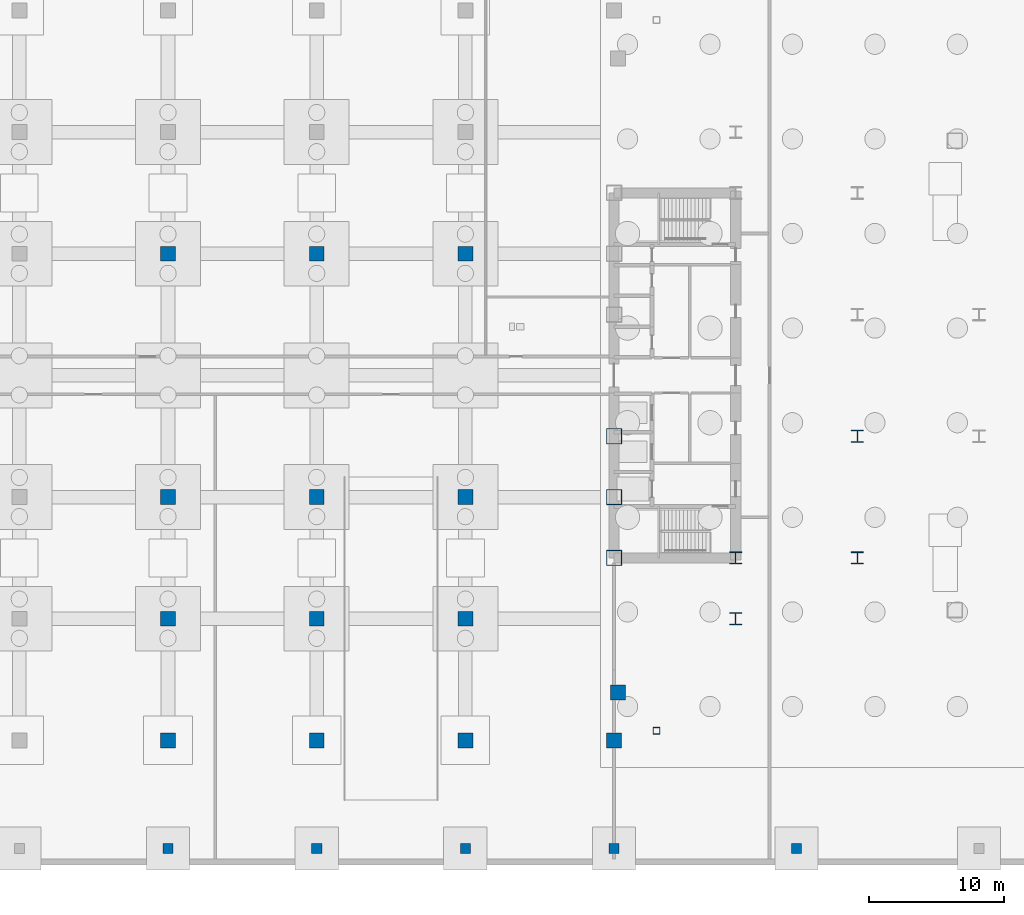
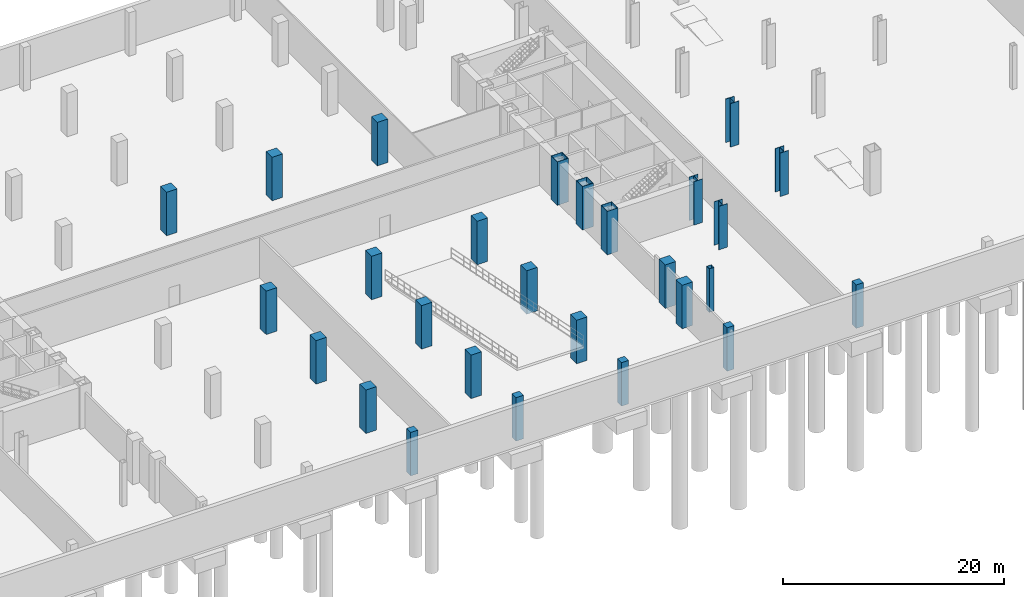
# One storey, part 5 of 18: 27 columns.
"""IFC4 building model written with IfcOpenShell, lengths in metres."""

from ifc_helpers import new_model, si_unit, direction, frame, origin, origin_2d, place, context, subcontext, project, spatial, rectangle, hollow_rectangle, i_section, extrude, source, transform, mapped, material, material_profile, profile_set, type_object, type_shapes, element, save


model = new_model("IFC4")

# Units and contexts
model_context = context("Model", 3, precision=1e-05, world=origin(), true_north=direction((0.0, 1.0)))
body_context = subcontext(model_context, "Body", "Model", "MODEL_VIEW")
ifc_project = project(units=[si_unit("LENGTHUNIT", "METRE"), si_unit("AREAUNIT", "SQUARE_METRE"), si_unit("VOLUMEUNIT", "CUBIC_METRE"), si_unit("PLANEANGLEUNIT", "RADIAN"), si_unit("MASSUNIT", "GRAM", prefix="KILO")], contexts=[model_context])

# Site, building, storey
site_placement = place(None, origin())
site = spatial("IfcSite", under=ifc_project, at=site_placement, CompositionType="ELEMENT")
building_placement = place(site_placement, origin())
building = spatial("IfcBuilding", under=site, at=building_placement, Name="Seokmaru Belvedere", CompositionType="ELEMENT")
storey_placement = place(building_placement, frame((0.0, 0.0, -9.60009765625)))
storey = spatial("IfcBuildingStorey", under=building, at=storey_placement, Name="B2", CompositionType="ELEMENT", Elevation=-9.60009765625)

# Columns
ifc_material_1 = material(Name="Steel HSA650 (650 MPa)", Category="steel")
ifc_material_profile_1 = material_profile(ifc_material_1, hollow_rectangle(XDim=1.14990234375, YDim=1.14990234375, WallThickness=0.048095703125, at=origin_2d()), Name="BOX-1150x1150x48")
ifc_profile_set_1 = profile_set([ifc_material_profile_1], Name="Steel HSA650 (650 MPa)")
column_type_1 = type_object("IfcColumnType", Name="Portal Spine Column BOX-1150", PredefinedType="COLUMN", material=ifc_profile_set_1)
shared_shape_1 = source(origin(), body_context, "Body", "SweptSolid", [
    extrude(hollow_rectangle(XDim=1.14990234375, YDim=1.14990234375, WallThickness=0.048095703125, at=origin_2d()), origin(), (0.0, 0.0, 1.0), 4.800048828125),
])
type_shapes(column_type_1, [shared_shape_1])
for number, where, z_axis, x_axis, name in (
    (1, (27.5, -13.5, 0.0), (0.0, 0.0, 1.0), (1.0, 0.0, 0.0), "B2 Column ES1"),
    (2, (27.5, -9.0, 0.0), (0.0, 0.0, 1.0), (1.0, 0.0, 0.0), "B2 Column ES2"),
    (3, (27.5, -4.5, 0.0), (0.0, 0.0, 1.0), (1.0, 0.0, 0.0), "B2 Column ES3"),
):
    element("IfcColumn", number, at=place(storey_placement, frame(where, z_axis=z_axis, x_axis=x_axis)), inside=storey, type_object=column_type_1, Name=name, PredefinedType="COLUMN", context=body_context, shape_type="MappedRepresentation", body=[
        mapped(shared_shape_1, transform((0.0, 0.0, 0.0), scale=1.0)),
    ])
ifc_material_2 = material(Name="Concrete C60 (60 MPa)", Category="concrete")
ifc_material_profile_2 = material_profile(ifc_material_2, rectangle(XDim=1.10009765625, YDim=1.10009765625, at=origin_2d()), Name="RC-1100x1100")
ifc_profile_set_2 = profile_set([ifc_material_profile_2], Name="Concrete C60 (60 MPa)")
column_type_2 = type_object("IfcColumnType", Name="Basement Substructure Column RC-1100", PredefinedType="COLUMN", material=ifc_profile_set_2)
shared_shape_2 = source(origin(), body_context, "Body", "SweptSolid", [
    extrude(rectangle(XDim=1.10009765625, YDim=1.10009765625, at=origin_2d()), origin(), (0.0, 0.0, 1.0), 4.800048828125),
])
type_shapes(column_type_2, [shared_shape_2])
for number, where, z_axis, x_axis, name in (
    (4, (27.5, -27.0, 0.0), (0.0, 0.0, 1.0), (1.0, 0.0, 0.0), "B2 Column EPS1"),
    (5, (27.800048828125, -23.451416015625, 0.0), (0.0, 0.0, 1.0), (1.0, 0.0, 0.0), "B2 Column EPM_S"),
    (6, (-5.5, -27.0, 0.0), (0.0, 0.0, 1.0), (1.0, 0.0, 0.0), "B2 Column CP2_1"),
    (7, (-5.5, -18.0, 0.0), (0.0, 0.0, 1.0), (1.0, 0.0, 0.0), "B2 Column CP2_2"),
    (8, (-5.5, -9.0, 0.0), (0.0, 0.0, 1.0), (1.0, 0.0, 0.0), "B2 Column CP2_3"),
    (9, (-5.5, 9.0, 0.0), (0.0, 0.0, 1.0), (1.0, 0.0, 0.0), "B2 Column CP2_4"),
    (10, (5.5, -27.0, 0.0), (0.0, 0.0, 1.0), (1.0, 0.0, 0.0), "B2 Column CP3_1"),
    (11, (5.5, -18.0, 0.0), (0.0, 0.0, 1.0), (1.0, 0.0, 0.0), "B2 Column CP3_2"),
    (12, (5.5, -9.0, 0.0), (0.0, 0.0, 1.0), (1.0, 0.0, 0.0), "B2 Column CP3_3"),
    (13, (5.5, 9.0, 0.0), (0.0, 0.0, 1.0), (1.0, 0.0, 0.0), "B2 Column CP3_4"),
    (14, (16.5, -27.0, 0.0), (0.0, 0.0, 1.0), (1.0, 0.0, 0.0), "B2 Column CP4_1"),
    (15, (16.5, -18.0, 0.0), (0.0, 0.0, 1.0), (1.0, 0.0, 0.0), "B2 Column CP4_2"),
    (16, (16.5, -9.0, 0.0), (0.0, 0.0, 1.0), (1.0, 0.0, 0.0), "B2 Column CP4_3"),
    (17, (16.5, 9.0, 0.0), (0.0, 0.0, 1.0), (1.0, 0.0, 0.0), "B2 Column CP4_4"),
):
    element("IfcColumn", number, at=place(storey_placement, frame(where, z_axis=z_axis, x_axis=x_axis)), inside=storey, type_object=column_type_2, Name=name, PredefinedType="COLUMN", context=body_context, shape_type="MappedRepresentation", body=[
        mapped(shared_shape_2, transform((0.0, 0.0, 0.0), scale=1.0)),
    ])
ifc_material_profile_3 = material_profile(ifc_material_1, i_section(OverallWidth=0.89990234375, OverallDepth=0.89990234375, WebThickness=0.035888671875, FlangeThickness=0.054931640625, at=origin_2d()), Name="H-900x900x36x55")
ifc_profile_set_3 = profile_set([ifc_material_profile_3], Name="Steel HSA650 (650 MPa)")
column_type_3 = type_object("IfcColumnType", Name="Lower Interior Column H-900", PredefinedType="COLUMN", material=ifc_profile_set_3)
shared_shape_3 = source(origin(), body_context, "Body", "SweptSolid", [
    extrude(i_section(OverallWidth=0.89990234375, OverallDepth=0.89990234375, WebThickness=0.035888671875, FlangeThickness=0.054931640625, at=origin_2d()), origin(), (0.0, 0.0, 1.0), 4.800048828125),
])
type_shapes(column_type_3, [shared_shape_3])
for number, where, z_axis, x_axis, name in (
    (18, (36.5, -18.0, 0.0), (0.0, 0.0, 1.0), (1.0, 0.0, 0.0), "B2 Column EC1"),
    (19, (36.5, -13.5, 0.0), (0.0, 0.0, 1.0), (1.0, 0.0, 0.0), "B2 Column EC2"),
    (20, (45.5, -13.5, 0.0), (0.0, 0.0, 1.0), (1.0, 0.0, 0.0), "B2 Column EG5_1"),
    (21, (45.5, -4.5, 0.0), (0.0, 0.0, 1.0), (1.0, 0.0, 0.0), "B2 Column EG5_2"),
):
    element("IfcColumn", number, at=place(storey_placement, frame(where, z_axis=z_axis, x_axis=x_axis)), inside=storey, type_object=column_type_3, Name=name, PredefinedType="COLUMN", context=body_context, shape_type="MappedRepresentation", body=[
        mapped(shared_shape_3, transform((0.0, 0.0, 0.0), scale=1.0)),
    ])
ifc_material_3 = material(Name="Steel SM355 (355 MPa)", Category="steel")
ifc_material_profile_4 = material_profile(ifc_material_3, hollow_rectangle(XDim=0.5, YDim=0.5, WallThickness=0.02001953125, at=origin_2d()), Name="HSS-500x500x20")
ifc_profile_set_4 = profile_set([ifc_material_profile_4], Name="Steel SM355 (355 MPa)")
column_type_4 = type_object("IfcColumnType", Name="Perimeter Facet Column HSS-500", PredefinedType="COLUMN", material=ifc_profile_set_4)
shared_shape_4 = source(origin(), body_context, "Body", "SweptSolid", [
    extrude(hollow_rectangle(XDim=0.5, YDim=0.5, WallThickness=0.02001953125, at=origin_2d()), origin(), (0.0, 0.0, 1.0), 4.800048828125),
])
type_shapes(column_type_4, [shared_shape_4])
column_placement = place(storey_placement, frame((30.643310546875, -26.294677734375, 0.0), z_axis=(0.0, 0.0, 1.0), x_axis=(1.0, 0.0, 0.0)))
element("IfcColumn", 22, at=column_placement, inside=storey, type_object=column_type_4, Name="B2 Column EF1", PredefinedType="COLUMN", context=body_context, shape_type="MappedRepresentation", body=[
    mapped(shared_shape_4, transform((0.0, 0.0, 0.0), scale=1.0)),
])
ifc_material_4 = material(Name="Concrete C50 (50 MPa)", Category="concrete")
ifc_material_profile_5 = material_profile(ifc_material_4, rectangle(XDim=0.75, YDim=0.75, at=origin_2d()), Name="RC-750x750")
ifc_profile_set_5 = profile_set([ifc_material_profile_5], Name="Concrete C50 (50 MPa)")
column_type_5 = type_object("IfcColumnType", Name="Plaza Substructure Pier Column RC-750", PredefinedType="COLUMN", material=ifc_profile_set_5)
shared_shape_5 = source(origin(), body_context, "Body", "SweptSolid", [
    extrude(rectangle(XDim=0.75, YDim=0.75, at=origin_2d()), origin(), (0.0, 0.0, 1.0), 4.800048828125),
])
type_shapes(column_type_5, [shared_shape_5])
for number, where, z_axis, x_axis, name in (
    (23, (-5.5, -35.0, 0.0), (0.0, 0.0, 1.0), (1.0, 0.0, 0.0), "B2 Column PLZ_S6"),
    (24, (5.5, -35.0, 0.0), (0.0, 0.0, 1.0), (1.0, 0.0, 0.0), "B2 Column PLZ_S7"),
    (25, (16.5, -35.0, 0.0), (0.0, 0.0, 1.0), (1.0, 0.0, 0.0), "B2 Column PLZ_S8"),
    (26, (27.5, -35.0, 0.0), (0.0, 0.0, 1.0), (1.0, 0.0, 0.0), "B2 Column PLZ_S9"),
    (27, (41.0, -35.0, 0.0), (0.0, 0.0, 1.0), (1.0, 0.0, 0.0), "B2 Column PLZ_S10"),
):
    element("IfcColumn", number, at=place(storey_placement, frame(where, z_axis=z_axis, x_axis=x_axis)), inside=storey, type_object=column_type_5, Name=name, PredefinedType="COLUMN", context=body_context, shape_type="MappedRepresentation", body=[
        mapped(shared_shape_5, transform((0.0, 0.0, 0.0), scale=1.0)),
    ])

save(model, "model.ifc")
